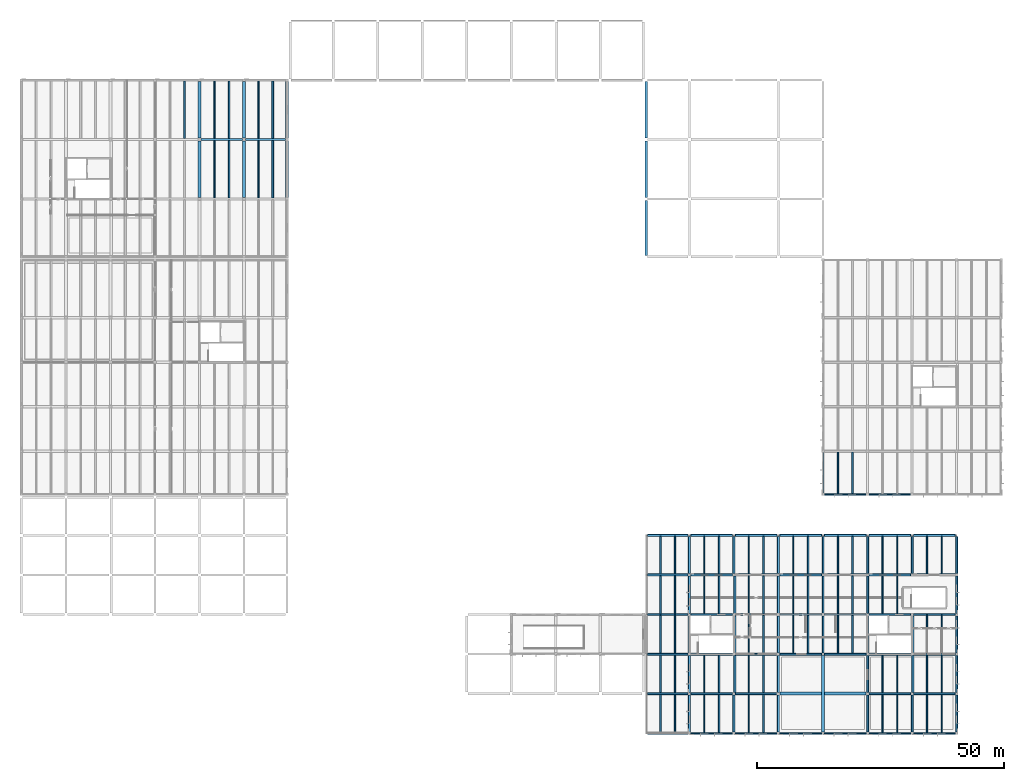
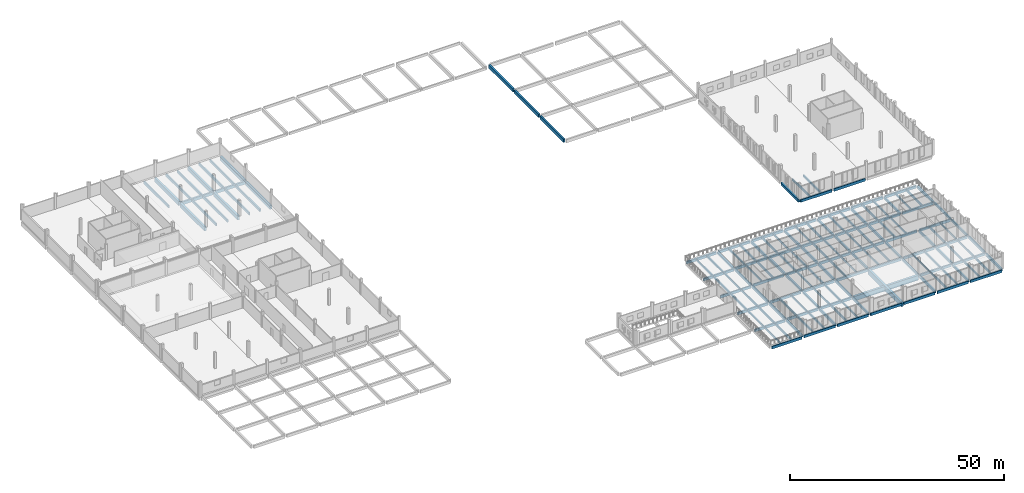
# One storey, part 5 of 25: 155 beams.
"""IFC4 building model written with IfcOpenShell, lengths in metres."""

from ifc_helpers import new_model, si_unit, direction, frame, origin, origin_2d, place, context, subcontext, project, spatial, rectangle, extrude, material, material_profile, profile_set, type_object, element, save


model = new_model("IFC4")

# Units and contexts
model_context = context("Model", 3, precision=1e-05, world=origin(), true_north=direction((0.0, 1.0)))
body_context = subcontext(model_context, "Body", "Model", "MODEL_VIEW")
ifc_project = project(units=[si_unit("LENGTHUNIT", "METRE"), si_unit("AREAUNIT", "SQUARE_METRE"), si_unit("VOLUMEUNIT", "CUBIC_METRE"), si_unit("PLANEANGLEUNIT", "RADIAN"), si_unit("MASSUNIT", "GRAM", prefix="KILO")], contexts=[model_context])

# Site, building, storey
site_placement = place(None, origin())
site = spatial("IfcSite", under=ifc_project, at=site_placement, CompositionType="ELEMENT")
building_placement = place(site_placement, origin())
building = spatial("IfcBuilding", under=site, at=building_placement, Name="Zacnel Wholesale Market", CompositionType="ELEMENT")
storey_placement = place(building_placement, frame((0.0, 0.0, 15.75)))
storey = spatial("IfcBuildingStorey", under=building, at=storey_placement, Name="L04", CompositionType="ELEMENT", Elevation=15.75)

# Beams
ifc_material_1 = material(Name="Precast concrete C45/55", Category="concrete")
ifc_material_profile_1 = material_profile(ifc_material_1, rectangle(XDim=0.280029296875, YDim=0.550048828125, at=origin_2d()), Name="DT RIB 280x550")
ifc_profile_set_1 = profile_set([ifc_material_profile_1], Name="Precast concrete C45/55")
beam_type_1 = type_object("IfcBeamType", Name="BM-DT550", PredefinedType="JOIST", material=ifc_profile_set_1)
for number, where, z_axis, x_axis, name in (
    (1, (147.199951171875, 0.14990234375, -0.695068359375), (0.0, 1.0, 0.0), (-1.0, 0.0, 0.0), "Precast secondary joist L04-0605"),
    (2, (150.10009765625, 0.14990234375, -0.695068359375), (0.0, 1.0, 0.0), (-1.0, 0.0, 0.0), "Precast secondary joist L04-0606"),
    (3, (156.0, 0.14990234375, -0.554931640625), (0.0, 1.0, 0.0), (-1.0, 0.0, 0.0), "Precast secondary joist L04-0607"),
    (4, (159.0, 0.14990234375, -0.554931640625), (0.0, 1.0, 0.0), (-1.0, 0.0, 0.0), "Precast secondary joist L04-0608"),
    (5, (165.0, 0.14990234375, -0.554931640625), (0.0, 1.0, 0.0), (-1.0, 0.0, 0.0), "Precast secondary joist L04-0609"),
    (6, (168.0, 0.14990234375, -0.554931640625), (0.0, 1.0, 0.0), (-1.0, 0.0, 0.0), "Precast secondary joist L04-0610"),
    (7, (192.0, 0.14990234375, -0.554931640625), (0.0, 1.0, 0.0), (-1.0, 0.0, 0.0), "Precast secondary joist L04-0611"),
    (8, (195.0, 0.14990234375, -0.554931640625), (0.0, 1.0, 0.0), (-1.0, 0.0, 0.0), "Precast secondary joist L04-0612"),
    (9, (201.0, 0.14990234375, -0.554931640625), (0.0, 1.0, 0.0), (-1.0, 0.0, 0.0), "Precast secondary joist L04-0613"),
    (10, (204.0, 0.14990234375, -0.554931640625), (0.0, 1.0, 0.0), (-1.0, 0.0, 0.0), "Precast secondary joist L04-0614"),
):
    element("IfcBeam", number, at=place(storey_placement, frame(where, z_axis=z_axis, x_axis=x_axis)), inside=storey, type_object=beam_type_1, Name=name, PredefinedType="JOIST", context=body_context, shape_type="SweptSolid", body=[
        extrude(rectangle(XDim=0.280029296875, YDim=0.550048828125, at=origin_2d()), origin(), (0.0, 0.0, 1.0), 7.650146484375),
    ])
for number, where, z_axis, x_axis, name in (
    (11, (147.199951171875, 8.199951171875, -0.695068359375), (0.0, 1.0, 0.0), (-1.0, 0.0, 0.0), "Precast secondary joist L04-0615"),
    (12, (150.10009765625, 8.199951171875, -0.695068359375), (0.0, 1.0, 0.0), (-1.0, 0.0, 0.0), "Precast secondary joist L04-0616"),
    (13, (156.0, 8.199951171875, -0.554931640625), (0.0, 1.0, 0.0), (-1.0, 0.0, 0.0), "Precast secondary joist L04-0617"),
    (14, (159.0, 8.199951171875, -0.554931640625), (0.0, 1.0, 0.0), (-1.0, 0.0, 0.0), "Precast secondary joist L04-0618"),
    (15, (165.0, 8.199951171875, -0.554931640625), (0.0, 1.0, 0.0), (-1.0, 0.0, 0.0), "Precast secondary joist L04-0619"),
    (16, (168.0, 8.199951171875, -0.554931640625), (0.0, 1.0, 0.0), (-1.0, 0.0, 0.0), "Precast secondary joist L04-0620"),
    (17, (192.0, 8.199951171875, -0.554931640625), (0.0, 1.0, 0.0), (-1.0, 0.0, 0.0), "Precast secondary joist L04-0621"),
    (18, (195.0, 8.199951171875, -0.554931640625), (0.0, 1.0, 0.0), (-1.0, 0.0, 0.0), "Precast secondary joist L04-0622"),
    (19, (201.0, 8.199951171875, -0.554931640625), (0.0, 1.0, 0.0), (-1.0, 0.0, 0.0), "Precast secondary joist L04-0623"),
    (20, (204.0, 8.199951171875, -0.554931640625), (0.0, 1.0, 0.0), (-1.0, 0.0, 0.0), "Precast secondary joist L04-0624"),
):
    element("IfcBeam", number, at=place(storey_placement, frame(where, z_axis=z_axis, x_axis=x_axis)), inside=storey, type_object=beam_type_1, Name=name, PredefinedType="JOIST", context=body_context, shape_type="SweptSolid", body=[
        extrude(rectangle(XDim=0.280029296875, YDim=0.550048828125, at=origin_2d()), origin(), (0.0, 0.0, 1.0), 7.60009765625),
    ])
for number, where, z_axis, x_axis, name in (
    (21, (147.199951171875, 16.199951171875, -0.695068359375), (0.0, 1.0, 0.0), (-1.0, 0.0, 0.0), "Precast secondary joist L04-0625"),
    (22, (150.10009765625, 16.199951171875, -0.695068359375), (0.0, 1.0, 0.0), (-1.0, 0.0, 0.0), "Precast secondary joist L04-0626"),
    (23, (165.0, 16.199951171875, -0.554931640625), (0.0, 1.0, 0.0), (-1.0, 0.0, 0.0), "Precast secondary joist L04-0627"),
    (24, (168.0, 16.199951171875, -0.554931640625), (0.0, 1.0, 0.0), (-1.0, 0.0, 0.0), "Precast secondary joist L04-0628"),
    (25, (174.0, 16.199951171875, -0.554931640625), (0.0, 1.0, 0.0), (-1.0, 0.0, 0.0), "Precast secondary joist L04-0629"),
    (26, (177.0, 16.199951171875, -0.554931640625), (0.0, 1.0, 0.0), (-1.0, 0.0, 0.0), "Precast secondary joist L04-0630"),
    (27, (183.0, 16.199951171875, -0.554931640625), (0.0, 1.0, 0.0), (-1.0, 0.0, 0.0), "Precast secondary joist L04-0631"),
    (28, (186.0, 16.199951171875, -0.554931640625), (0.0, 1.0, 0.0), (-1.0, 0.0, 0.0), "Precast secondary joist L04-0632"),
    (29, (201.0, 16.199951171875, -0.554931640625), (0.0, 1.0, 0.0), (-1.0, 0.0, 0.0), "Precast secondary joist L04-0633"),
    (30, (204.0, 16.199951171875, -0.554931640625), (0.0, 1.0, 0.0), (-1.0, 0.0, 0.0), "Precast secondary joist L04-0634"),
    (31, (147.199951171875, 24.14990234375, -0.695068359375), (0.0, 1.0, 0.0), (-1.0, 0.0, 0.0), "Precast secondary joist L04-0635"),
    (32, (150.10009765625, 24.14990234375, -0.695068359375), (0.0, 1.0, 0.0), (-1.0, 0.0, 0.0), "Precast secondary joist L04-0636"),
    (33, (156.0, 24.14990234375, -0.554931640625), (0.0, 1.0, 0.0), (-1.0, 0.0, 0.0), "Precast secondary joist L04-0637"),
    (34, (159.0, 24.14990234375, -0.554931640625), (0.0, 1.0, 0.0), (-1.0, 0.0, 0.0), "Precast secondary joist L04-0638"),
    (35, (165.0, 24.14990234375, -0.554931640625), (0.0, 1.0, 0.0), (-1.0, 0.0, 0.0), "Precast secondary joist L04-0639"),
    (36, (168.0, 24.14990234375, -0.554931640625), (0.0, 1.0, 0.0), (-1.0, 0.0, 0.0), "Precast secondary joist L04-0640"),
    (37, (174.0, 24.14990234375, -0.554931640625), (0.0, 1.0, 0.0), (-1.0, 0.0, 0.0), "Precast secondary joist L04-0641"),
    (38, (177.0, 24.14990234375, -0.554931640625), (0.0, 1.0, 0.0), (-1.0, 0.0, 0.0), "Precast secondary joist L04-0642"),
    (39, (183.0, 24.14990234375, -0.554931640625), (0.0, 1.0, 0.0), (-1.0, 0.0, 0.0), "Precast secondary joist L04-0643"),
    (40, (186.0, 24.14990234375, -0.554931640625), (0.0, 1.0, 0.0), (-1.0, 0.0, 0.0), "Precast secondary joist L04-0644"),
    (41, (192.0, 24.14990234375, -0.554931640625), (0.0, 1.0, 0.0), (-1.0, 0.0, 0.0), "Precast secondary joist L04-0645"),
    (42, (195.0, 24.14990234375, -0.554931640625), (0.0, 1.0, 0.0), (-1.0, 0.0, 0.0), "Precast secondary joist L04-0646"),
):
    element("IfcBeam", number, at=place(storey_placement, frame(where, z_axis=z_axis, x_axis=x_axis)), inside=storey, type_object=beam_type_1, Name=name, PredefinedType="JOIST", context=body_context, shape_type="SweptSolid", body=[
        extrude(rectangle(XDim=0.280029296875, YDim=0.550048828125, at=origin_2d()), origin(), (0.0, 0.0, 1.0), 7.650146484375),
    ])
for number, where, z_axis, x_axis, name in (
    (43, (147.199951171875, 32.199951171875, -0.695068359375), (0.0, 1.0, 0.0), (-1.0, 0.0, 0.0), "Precast secondary joist L04-0649"),
    (44, (150.10009765625, 32.199951171875, -0.695068359375), (0.0, 1.0, 0.0), (-1.0, 0.0, 0.0), "Precast secondary joist L04-0650"),
    (45, (156.0, 32.199951171875, -0.695068359375), (0.0, 1.0, 0.0), (-1.0, 0.0, 0.0), "Precast secondary joist L04-0651"),
    (46, (159.0, 32.199951171875, -0.695068359375), (0.0, 1.0, 0.0), (-1.0, 0.0, 0.0), "Precast secondary joist L04-0652"),
    (47, (165.0, 32.199951171875, -0.695068359375), (0.0, 1.0, 0.0), (-1.0, 0.0, 0.0), "Precast secondary joist L04-0653"),
    (48, (168.0, 32.199951171875, -0.695068359375), (0.0, 1.0, 0.0), (-1.0, 0.0, 0.0), "Precast secondary joist L04-0654"),
    (49, (174.0, 32.199951171875, -0.695068359375), (0.0, 1.0, 0.0), (-1.0, 0.0, 0.0), "Precast secondary joist L04-0655"),
    (50, (177.0, 32.199951171875, -0.695068359375), (0.0, 1.0, 0.0), (-1.0, 0.0, 0.0), "Precast secondary joist L04-0656"),
    (51, (183.0, 32.199951171875, -0.695068359375), (0.0, 1.0, 0.0), (-1.0, 0.0, 0.0), "Precast secondary joist L04-0657"),
    (52, (186.0, 32.199951171875, -0.695068359375), (0.0, 1.0, 0.0), (-1.0, 0.0, 0.0), "Precast secondary joist L04-0658"),
    (53, (192.0, 32.199951171875, -0.695068359375), (0.0, 1.0, 0.0), (-1.0, 0.0, 0.0), "Precast terrace joist L04-192.0"),
    (54, (195.0, 32.199951171875, -0.695068359375), (0.0, 1.0, 0.0), (-1.0, 0.0, 0.0), "Precast terrace joist L04-195.0"),
    (55, (201.0, 32.199951171875, -0.695068359375), (0.0, 1.0, 0.0), (-1.0, 0.0, 0.0), "Precast terrace joist L04-201.0"),
    (56, (204.0, 32.199951171875, -0.695068359375), (0.0, 1.0, 0.0), (-1.0, 0.0, 0.0), "Precast terrace joist L04-204.0"),
):
    element("IfcBeam", number, at=place(storey_placement, frame(where, z_axis=z_axis, x_axis=x_axis)), inside=storey, type_object=beam_type_1, Name=name, PredefinedType="JOIST", context=body_context, shape_type="SweptSolid", body=[
        extrude(rectangle(XDim=0.280029296875, YDim=0.550048828125, at=origin_2d()), origin(), (0.0, 0.0, 1.0), 7.60009765625),
    ])
ifc_material_2 = material(Name="Precast concrete C45/55", Category="concrete")
ifc_material_profile_2 = material_profile(ifc_material_2, rectangle(XDim=0.280029296875, YDim=0.60009765625, at=origin_2d()), Name="DT RIB 280x600")
ifc_profile_set_2 = profile_set([ifc_material_profile_2], Name="Precast concrete C45/55")
beam_type_2 = type_object("IfcBeamType", Name="BM-DT600", PredefinedType="JOIST", material=ifc_profile_set_2)
for number, where, z_axis, x_axis, name in (
    (57, (183.0, 48.449951171875, -0.580078125), (0.0, 1.0, 0.0), (-1.0, 0.0, 0.0), "Precast secondary joist L04-0671"),
    (58, (186.0, 48.449951171875, -0.580078125), (0.0, 1.0, 0.0), (-1.0, 0.0, 0.0), "Precast secondary joist L04-0672"),
):
    element("IfcBeam", number, at=place(storey_placement, frame(where, z_axis=z_axis, x_axis=x_axis)), inside=storey, type_object=beam_type_2, Name=name, PredefinedType="JOIST", context=body_context, shape_type="SweptSolid", body=[
        extrude(rectangle(XDim=0.280029296875, YDim=0.60009765625, at=origin_2d()), origin(), (0.0, 0.0, 1.0), 8.35009765625),
    ])
ifc_material_3 = material(Name="Precast concrete C45/55", Category="concrete")
ifc_material_profile_3 = material_profile(ifc_material_3, rectangle(XDim=0.320068359375, YDim=0.75, at=origin_2d()), Name="DT RIB 320x750")
ifc_profile_set_3 = profile_set([ifc_material_profile_3], Name="Precast concrete C45/55")
beam_type_3 = type_object("IfcBeamType", Name="BM-DT750", PredefinedType="JOIST", material=ifc_profile_set_3)
for number, where, z_axis, x_axis, name in (
    (59, (57.0, 108.22509765625, -0.655029296875), (0.0, 1.0, 0.0), (-1.0, 0.0, 0.0), "Precast secondary joist L04-0773"),
    (60, (60.0, 108.22509765625, -0.655029296875), (0.0, 1.0, 0.0), (-1.0, 0.0, 0.0), "Precast secondary joist L04-0774"),
    (61, (65.89990234375, 108.22509765625, -0.655029296875), (0.0, 1.0, 0.0), (-1.0, 0.0, 0.0), "Precast secondary joist L04-0775"),
    (62, (68.800048828125, 108.22509765625, -0.655029296875), (0.0, 1.0, 0.0), (-1.0, 0.0, 0.0), "Precast secondary joist L04-0776"),
    (63, (51.0, 120.22509765625, -0.655029296875), (0.0, 1.0, 0.0), (-1.0, 0.0, 0.0), "Precast secondary joist L04-0784"),
    (64, (57.0, 120.22509765625, -0.655029296875), (0.0, 1.0, 0.0), (-1.0, 0.0, 0.0), "Precast secondary joist L04-0785"),
    (65, (60.0, 120.22509765625, -0.655029296875), (0.0, 1.0, 0.0), (-1.0, 0.0, 0.0), "Precast secondary joist L04-0786"),
    (66, (65.89990234375, 120.22509765625, -0.655029296875), (0.0, 1.0, 0.0), (-1.0, 0.0, 0.0), "Precast secondary joist L04-0787"),
    (67, (68.800048828125, 120.22509765625, -0.655029296875), (0.0, 1.0, 0.0), (-1.0, 0.0, 0.0), "Precast secondary joist L04-0788"),
):
    element("IfcBeam", number, at=place(storey_placement, frame(where, z_axis=z_axis, x_axis=x_axis)), inside=storey, type_object=beam_type_3, Name=name, PredefinedType="JOIST", context=body_context, shape_type="SweptSolid", body=[
        extrude(rectangle(XDim=0.320068359375, YDim=0.75, at=origin_2d()), origin(), (0.0, 0.0, 1.0), 11.5498046875),
    ])
ifc_material_4 = material(Name="Precast concrete C45/55", Category="concrete")
ifc_material_profile_4 = material_profile(ifc_material_4, rectangle(XDim=0.550048828125, YDim=1.14990234375, at=origin_2d()), Name="PG 550x1150")
ifc_profile_set_4 = profile_set([ifc_material_profile_4], Name="Precast concrete C45/55")
beam_type_4 = type_object("IfcBeamType", Name="BM-PG1150", PredefinedType="T_BEAM", material=ifc_profile_set_4)
for number, where, z_axis, x_axis, name in (
    (68, (54.0, 108.300048828125, -0.85498046875), (0.0, 1.0, 0.0), (-1.0, 0.0, 0.0), "Precast girder Y-1228"),
    (69, (54.0, 120.300048828125, -0.85498046875), (0.0, 1.0, 0.0), (-1.0, 0.0, 0.0), "Precast girder Y-1229"),
    (70, (63.0, 108.300048828125, -0.85498046875), (0.0, 1.0, 0.0), (-1.0, 0.0, 0.0), "Precast girder Y-1239"),
    (71, (63.0, 120.300048828125, -0.85498046875), (0.0, 1.0, 0.0), (-1.0, 0.0, 0.0), "Precast girder Y-1240"),
):
    element("IfcBeam", number, at=place(storey_placement, frame(where, z_axis=z_axis, x_axis=x_axis)), inside=storey, type_object=beam_type_4, Name=name, PredefinedType="T_BEAM", context=body_context, shape_type="SweptSolid", body=[
        extrude(rectangle(XDim=0.550048828125, YDim=1.14990234375, at=origin_2d()), origin(), (0.0, 0.0, 1.0), 11.39990234375),
    ])
for number, where, z_axis, x_axis, name in (
    (72, (71.699951171875, 108.27490234375, -0.85498046875), (0.0, 1.0, 0.0), (-1.0, 0.0, 0.0), "Precast girder Y-1250"),
    (73, (71.699951171875, 120.27490234375, -0.85498046875), (0.0, 1.0, 0.0), (-1.0, 0.0, 0.0), "Precast girder Y-1251"),
):
    element("IfcBeam", number, at=place(storey_placement, frame(where, z_axis=z_axis, x_axis=x_axis)), inside=storey, type_object=beam_type_4, Name=name, PredefinedType="T_BEAM", context=body_context, shape_type="SweptSolid", body=[
        extrude(rectangle(XDim=0.550048828125, YDim=1.14990234375, at=origin_2d()), origin(), (0.0, 0.0, 1.0), 11.4501953125),
    ])
ifc_material_5 = material(Name="Precast concrete C45/55", Category="concrete")
ifc_material_profile_5 = material_profile(ifc_material_5, rectangle(XDim=0.60009765625, YDim=1.35009765625, at=origin_2d()), Name="PG 600x1350")
ifc_profile_set_5 = profile_set([ifc_material_profile_5], Name="Precast concrete C45/55")
beam_type_5 = type_object("IfcBeamType", Name="BM-PG1350", PredefinedType="T_BEAM", material=ifc_profile_set_5)
beam_1_placement = place(storey_placement, frame((171.300048828125, 8.0, -0.955078125), z_axis=(1.0, 0.0, 0.0), x_axis=(0.0, 1.0, 0.0)))
element("IfcBeam", 74, at=beam_1_placement, inside=storey, type_object=beam_type_5, Name="Precast girder X-1020", PredefinedType="T_BEAM", context=body_context, shape_type="SweptSolid", body=[
    extrude(rectangle(XDim=0.60009765625, YDim=1.35009765625, at=origin_2d()), origin(), (0.0, 0.0, 1.0), 17.39990234375),
])
beam_2_placement = place(storey_placement, frame((180.0, 0.25, -0.955078125), z_axis=(0.0, 1.0, 0.0), x_axis=(-1.0, 0.0, 0.0)))
element("IfcBeam", 75, at=beam_2_placement, inside=storey, type_object=beam_type_5, Name="Precast girder Y-1281", PredefinedType="T_BEAM", context=body_context, shape_type="SweptSolid", body=[
    extrude(rectangle(XDim=0.60009765625, YDim=1.35009765625, at=origin_2d()), origin(), (0.0, 0.0, 1.0), 15.5),
])
ifc_material_6 = material(Name="Precast concrete C45/55", Category="concrete")
ifc_material_profile_6 = material_profile(ifc_material_6, rectangle(XDim=0.39990234375, YDim=0.64990234375, at=origin_2d()), Name="PG 400x650")
ifc_profile_set_6 = profile_set([ifc_material_profile_6], Name="Precast concrete C45/55")
beam_type_6 = type_object("IfcBeamType", Name="BM-PG650", PredefinedType="BEAM", material=ifc_profile_set_6)
for number, where, z_axis, x_axis, name in (
    (76, (153.0, 0.25, -0.60498046875), (0.0, 1.0, 0.0), (-1.0, 0.0, 0.0), "Precast girder Y-1266"),
    (77, (153.0, 8.25, -0.60498046875), (0.0, 1.0, 0.0), (-1.0, 0.0, 0.0), "Precast girder Y-1267"),
    (78, (153.0, 16.25, -0.60498046875), (0.0, 1.0, 0.0), (-1.0, 0.0, 0.0), "Precast girder Y-1268"),
    (79, (153.0, 24.25, -0.60498046875), (0.0, 1.0, 0.0), (-1.0, 0.0, 0.0), "Precast girder Y-1269"),
    (80, (153.0, 32.25, -0.7451171875), (0.0, 1.0, 0.0), (-1.0, 0.0, 0.0), "Precast girder Y-1270"),
    (81, (162.0, 0.25, -0.60498046875), (0.0, 1.0, 0.0), (-1.0, 0.0, 0.0), "Precast girder Y-1271"),
    (82, (162.179931640625, 8.25, -0.60498046875), (0.0, 1.0, 0.0), (-1.0, 0.0, 0.0), "Precast girder Y-1272"),
    (83, (162.179931640625, 16.25, -0.60498046875), (0.0, 1.0, 0.0), (-1.0, 0.0, 0.0), "Precast girder Y-1273"),
    (84, (162.179931640625, 24.25, -0.60498046875), (0.0, 1.0, 0.0), (-1.0, 0.0, 0.0), "Precast girder Y-1274"),
    (85, (162.0, 32.25, -0.7451171875), (0.0, 1.0, 0.0), (-1.0, 0.0, 0.0), "Precast girder Y-1275"),
    (86, (171.0, 0.25, -0.60498046875), (0.0, 1.0, 0.0), (-1.0, 0.0, 0.0), "Precast girder Y-1276"),
    (87, (171.0, 8.25, -0.60498046875), (0.0, 1.0, 0.0), (-1.0, 0.0, 0.0), "Precast girder Y-1277"),
    (88, (171.0, 16.25, -0.60498046875), (0.0, 1.0, 0.0), (-1.0, 0.0, 0.0), "Precast girder Y-1278"),
    (89, (171.0, 24.25, -0.60498046875), (0.0, 1.0, 0.0), (-1.0, 0.0, 0.0), "Precast girder Y-1279"),
    (90, (171.0, 32.25, -0.7451171875), (0.0, 1.0, 0.0), (-1.0, 0.0, 0.0), "Precast girder Y-1280"),
    (91, (180.0, 16.25, -0.60498046875), (0.0, 1.0, 0.0), (-1.0, 0.0, 0.0), "Precast girder Y-1282"),
    (92, (180.0, 24.25, -0.60498046875), (0.0, 1.0, 0.0), (-1.0, 0.0, 0.0), "Precast girder Y-1283"),
    (93, (180.0, 32.25, -0.7451171875), (0.0, 1.0, 0.0), (-1.0, 0.0, 0.0), "Precast girder Y-1284"),
    (94, (189.0, 0.25, -0.60498046875), (0.0, 1.0, 0.0), (-1.0, 0.0, 0.0), "Precast girder Y-1290"),
    (95, (189.0, 8.25, -0.60498046875), (0.0, 1.0, 0.0), (-1.0, 0.0, 0.0), "Precast girder Y-1291"),
    (96, (189.0, 16.25, -0.60498046875), (0.0, 1.0, 0.0), (-1.0, 0.0, 0.0), "Precast girder Y-1292"),
    (97, (189.0, 24.25, -0.60498046875), (0.0, 1.0, 0.0), (-1.0, 0.0, 0.0), "Precast girder Y-1293"),
    (98, (189.0, 32.25, -0.7451171875), (0.0, 1.0, 0.0), (-1.0, 0.0, 0.0), "Precast girder Y-1294"),
    (99, (198.0, 0.25, -0.60498046875), (0.0, 1.0, 0.0), (-1.0, 0.0, 0.0), "Precast girder Y-1300"),
    (100, (198.179931640625, 8.25, -0.60498046875), (0.0, 1.0, 0.0), (-1.0, 0.0, 0.0), "Precast girder Y-1301"),
    (101, (198.179931640625, 16.25, -0.60498046875), (0.0, 1.0, 0.0), (-1.0, 0.0, 0.0), "Precast girder Y-1302"),
    (102, (198.0, 32.25, -0.7451171875), (0.0, 1.0, 0.0), (-1.0, 0.0, 0.0), "Precast girder Y-1304"),
    (103, (207.0, 0.25, -0.60498046875), (0.0, 1.0, 0.0), (-1.0, 0.0, 0.0), "Precast girder Y-1310"),
    (104, (207.0, 8.25, -0.60498046875), (0.0, 1.0, 0.0), (-1.0, 0.0, 0.0), "Precast girder Y-1311"),
    (105, (207.0, 16.25, -0.60498046875), (0.0, 1.0, 0.0), (-1.0, 0.0, 0.0), "Precast girder Y-1312"),
    (106, (207.0, 24.25, -0.60498046875), (0.0, 1.0, 0.0), (-1.0, 0.0, 0.0), "Precast girder Y-1313"),
    (107, (207.0, 32.25, -0.7451171875), (0.0, 1.0, 0.0), (-1.0, 0.0, 0.0), "Precast girder Y-1314"),
):
    element("IfcBeam", number, at=place(storey_placement, frame(where, z_axis=z_axis, x_axis=x_axis)), inside=storey, type_object=beam_type_6, Name=name, PredefinedType="BEAM", context=body_context, shape_type="SweptSolid", body=[
        extrude(rectangle(XDim=0.39990234375, YDim=0.64990234375, at=origin_2d()), origin(), (0.0, 0.0, 1.0), 7.5),
    ])
ifc_material_7 = material(Name="Precast concrete C45/55", Category="concrete")
ifc_material_profile_7 = material_profile(ifc_material_7, rectangle(XDim=0.39990234375, YDim=0.699951171875, at=origin_2d()), Name="PG 400x700")
ifc_profile_set_7 = profile_set([ifc_material_profile_7], Name="Precast concrete C45/55")
beam_type_7 = type_object("IfcBeamType", Name="BM-PG700", PredefinedType="BEAM", material=ifc_profile_set_7)
beam_3_placement = place(storey_placement, frame((144.574951171875, 8.0, -0.77001953125), z_axis=(1.0, 0.0, 0.0), x_axis=(0.0, 1.0, 0.0)))
element("IfcBeam", 108, at=beam_3_placement, inside=storey, type_object=beam_type_7, Name="Precast girder X-1017", PredefinedType="BEAM", context=body_context, shape_type="SweptSolid", body=[
    extrude(rectangle(XDim=0.39990234375, YDim=0.699951171875, at=origin_2d()), origin(), (0.0, 0.0, 1.0), 8.125),
])
for number, where, z_axis, x_axis, name in (
    (109, (153.300048828125, 8.0, -0.6298828125), (1.0, 0.0, 0.0), (0.0, 1.0, 0.0), "Precast girder X-1018"),
    (110, (162.300048828125, 8.0, -0.6298828125), (1.0, 0.0, 0.0), (0.0, 1.0, 0.0), "Precast girder X-1019"),
    (111, (189.300048828125, 8.0, -0.6298828125), (1.0, 0.0, 0.0), (0.0, 1.0, 0.0), "Precast girder X-1021"),
    (112, (198.300048828125, 8.0, -0.6298828125), (1.0, 0.0, 0.0), (0.0, 1.0, 0.0), "Precast girder X-1022"),
):
    element("IfcBeam", number, at=place(storey_placement, frame(where, z_axis=z_axis, x_axis=x_axis)), inside=storey, type_object=beam_type_7, Name=name, PredefinedType="BEAM", context=body_context, shape_type="SweptSolid", body=[
        extrude(rectangle(XDim=0.39990234375, YDim=0.699951171875, at=origin_2d()), origin(), (0.0, 0.0, 1.0), 8.39990234375),
    ])
beam_4_placement = place(storey_placement, frame((144.574951171875, 16.0, -0.77001953125), z_axis=(1.0, 0.0, 0.0), x_axis=(0.0, 1.0, 0.0)))
element("IfcBeam", 113, at=beam_4_placement, inside=storey, type_object=beam_type_7, Name="Precast girder X-1023", PredefinedType="BEAM", context=body_context, shape_type="SweptSolid", body=[
    extrude(rectangle(XDim=0.39990234375, YDim=0.699951171875, at=origin_2d()), origin(), (0.0, 0.0, 1.0), 8.125),
])
for number, where, z_axis, x_axis, name in (
    (114, (153.300048828125, 16.0, -0.6298828125), (1.0, 0.0, 0.0), (0.0, 1.0, 0.0), "Precast girder X-1024"),
    (115, (162.300048828125, 16.0, -0.6298828125), (1.0, 0.0, 0.0), (0.0, 1.0, 0.0), "Precast girder X-1025"),
    (116, (171.300048828125, 16.0, -0.6298828125), (1.0, 0.0, 0.0), (0.0, 1.0, 0.0), "Precast girder X-1026"),
    (117, (180.300048828125, 16.0, -0.6298828125), (1.0, 0.0, 0.0), (0.0, 1.0, 0.0), "Precast girder X-1027"),
    (118, (189.300048828125, 16.0, -0.6298828125), (1.0, 0.0, 0.0), (0.0, 1.0, 0.0), "Precast girder X-1028"),
    (119, (198.300048828125, 16.0, -0.6298828125), (1.0, 0.0, 0.0), (0.0, 1.0, 0.0), "Precast girder X-1029"),
):
    element("IfcBeam", number, at=place(storey_placement, frame(where, z_axis=z_axis, x_axis=x_axis)), inside=storey, type_object=beam_type_7, Name=name, PredefinedType="BEAM", context=body_context, shape_type="SweptSolid", body=[
        extrude(rectangle(XDim=0.39990234375, YDim=0.699951171875, at=origin_2d()), origin(), (0.0, 0.0, 1.0), 8.39990234375),
    ])
beam_5_placement = place(storey_placement, frame((144.574951171875, 32.0, -0.77001953125), z_axis=(1.0, 0.0, 0.0), x_axis=(0.0, 1.0, 0.0)))
element("IfcBeam", 120, at=beam_5_placement, inside=storey, type_object=beam_type_7, Name="Precast girder X-1049", PredefinedType="BEAM", context=body_context, shape_type="SweptSolid", body=[
    extrude(rectangle(XDim=0.39990234375, YDim=0.699951171875, at=origin_2d()), origin(), (0.0, 0.0, 1.0), 8.125),
])
for number, where, z_axis, x_axis, name in (
    (121, (153.300048828125, 32.0, -0.6298828125), (1.0, 0.0, 0.0), (0.0, 1.0, 0.0), "Precast girder X-1050"),
    (122, (162.300048828125, 32.0, -0.6298828125), (1.0, 0.0, 0.0), (0.0, 1.0, 0.0), "Precast girder X-1051"),
    (123, (171.300048828125, 32.0, -0.6298828125), (1.0, 0.0, 0.0), (0.0, 1.0, 0.0), "Precast girder X-1052"),
    (124, (180.300048828125, 32.0, -0.6298828125), (1.0, 0.0, 0.0), (0.0, 1.0, 0.0), "Precast girder X-1053"),
    (125, (189.300048828125, 32.0, -0.6298828125), (1.0, 0.0, 0.0), (0.0, 1.0, 0.0), "Precast girder X-1054"),
    (126, (198.300048828125, 32.0, -0.6298828125), (1.0, 0.0, 0.0), (0.0, 1.0, 0.0), "Precast girder X-1055"),
):
    element("IfcBeam", number, at=place(storey_placement, frame(where, z_axis=z_axis, x_axis=x_axis)), inside=storey, type_object=beam_type_7, Name=name, PredefinedType="BEAM", context=body_context, shape_type="SweptSolid", body=[
        extrude(rectangle(XDim=0.39990234375, YDim=0.699951171875, at=origin_2d()), origin(), (0.0, 0.0, 1.0), 8.39990234375),
    ])
beam_6_placement = place(storey_placement, frame((144.574951171875, 40.0, -0.77001953125), z_axis=(1.0, 0.0, 0.0), x_axis=(0.0, 1.0, 0.0)))
element("IfcBeam", 127, at=beam_6_placement, inside=storey, type_object=beam_type_7, Name="Precast girder X-1062", PredefinedType="BEAM", context=body_context, shape_type="SweptSolid", body=[
    extrude(rectangle(XDim=0.39990234375, YDim=0.699951171875, at=origin_2d()), origin(), (0.0, 0.0, 1.0), 8.125),
])
for number, where, z_axis, x_axis, name in (
    (128, (153.300048828125, 40.0, -0.77001953125), (1.0, 0.0, 0.0), (0.0, 1.0, 0.0), "Precast girder X-1063"),
    (129, (162.300048828125, 40.0, -0.77001953125), (1.0, 0.0, 0.0), (0.0, 1.0, 0.0), "Precast girder X-1064"),
    (130, (171.300048828125, 40.0, -0.77001953125), (1.0, 0.0, 0.0), (0.0, 1.0, 0.0), "Precast girder X-1065"),
    (131, (180.300048828125, 40.0, -0.77001953125), (1.0, 0.0, 0.0), (0.0, 1.0, 0.0), "Precast girder X-1066"),
    (132, (189.300048828125, 40.0, -0.77001953125), (1.0, 0.0, 0.0), (0.0, 1.0, 0.0), "Precast girder X-1067"),
    (133, (198.300048828125, 40.0, -0.77001953125), (1.0, 0.0, 0.0), (0.0, 1.0, 0.0), "Precast girder X-1068"),
):
    element("IfcBeam", number, at=place(storey_placement, frame(where, z_axis=z_axis, x_axis=x_axis)), inside=storey, type_object=beam_type_7, Name=name, PredefinedType="BEAM", context=body_context, shape_type="SweptSolid", body=[
        extrude(rectangle(XDim=0.39990234375, YDim=0.699951171875, at=origin_2d()), origin(), (0.0, 0.0, 1.0), 8.39990234375),
    ])
ifc_material_8 = material(Name="Precast concrete C45/55", Category="concrete")
ifc_material_profile_8 = material_profile(ifc_material_8, rectangle(XDim=0.449951171875, YDim=0.800048828125, at=origin_2d()), Name="PG 450x800")
ifc_profile_set_8 = profile_set([ifc_material_profile_8], Name="Precast concrete C45/55")
beam_type_8 = type_object("IfcBeamType", Name="BM-PG800", PredefinedType="BEAM", material=ifc_profile_set_8)
beam_7_placement = place(storey_placement, frame((180.0, 48.574951171875, -0.679931640625), z_axis=(0.0, 1.0, 0.0), x_axis=(-1.0, 0.0, 0.0)))
element("IfcBeam", 134, at=beam_7_placement, inside=storey, type_object=beam_type_8, Name="Precast girder Y-1285", PredefinedType="BEAM", context=body_context, shape_type="SweptSolid", body=[
    extrude(rectangle(XDim=0.449951171875, YDim=0.800048828125, at=origin_2d()), origin(), (0.0, 0.0, 1.0), 8.125),
])
ifc_material_9 = material(Name="Precast concrete C45/55", Category="concrete")
ifc_material_profile_9 = material_profile(ifc_material_9, rectangle(XDim=0.449951171875, YDim=0.85009765625, at=origin_2d()), Name="PG 450x850")
ifc_profile_set_9 = profile_set([ifc_material_profile_9], Name="Precast concrete C45/55")
beam_type_9 = type_object("IfcBeamType", Name="BM-PG850", PredefinedType="BEAM", material=ifc_profile_set_9)
beam_8_placement = place(storey_placement, frame((54.300048828125, 120.0, -0.705078125), z_axis=(1.0, 0.0, 0.0), x_axis=(0.0, 1.0, 0.0)))
element("IfcBeam", 135, at=beam_8_placement, inside=storey, type_object=beam_type_9, Name="Precast girder X-1151", PredefinedType="BEAM", context=body_context, shape_type="SweptSolid", body=[
    extrude(rectangle(XDim=0.449951171875, YDim=0.85009765625, at=origin_2d()), origin(), (0.0, 0.0, 1.0), 8.39990234375),
])
beam_9_placement = place(storey_placement, frame((63.300048828125, 120.0, -0.705078125), z_axis=(1.0, 0.0, 0.0), x_axis=(0.0, 1.0, 0.0)))
element("IfcBeam", 136, at=beam_9_placement, inside=storey, type_object=beam_type_9, Name="Precast girder X-1152", PredefinedType="BEAM", context=body_context, shape_type="SweptSolid", body=[
    extrude(rectangle(XDim=0.449951171875, YDim=0.85009765625, at=origin_2d()), origin(), (0.0, 0.0, 1.0), 8.125),
])
ifc_material_10 = material(Name="Precast concrete C45/55", Category="concrete")
ifc_material_profile_10 = material_profile(ifc_material_10, rectangle(XDim=0.449951171875, YDim=0.949951171875, at=origin_2d()), Name="PG 450x950")
ifc_profile_set_10 = profile_set([ifc_material_profile_10], Name="Precast concrete C45/55")
beam_type_10 = type_object("IfcBeamType", Name="BM-PG950", PredefinedType="BEAM", material=ifc_profile_set_10)
beam_10_placement = place(storey_placement, frame((144.300048828125, 96.580078125, -0.125), z_axis=(0.0, 1.0, 0.0), x_axis=(-1.0, 0.0, 0.0)))
element("IfcBeam", 137, at=beam_10_placement, inside=storey, type_object=beam_type_10, Name="Crossing drum collar girder Y-15", PredefinedType="BEAM", context=body_context, shape_type="SweptSolid", body=[
    extrude(rectangle(XDim=0.449951171875, YDim=0.949951171875, at=origin_2d()), origin(), (0.0, 0.0, 1.0), 11.139892578125),
])
for number, where, z_axis, x_axis, name in (
    (138, (144.300048828125, 108.280029296875, -0.125), (0.0, 1.0, 0.0), (-1.0, 0.0, 0.0), "Crossing drum collar girder Y-16"),
    (139, (144.300048828125, 120.280029296875, -0.125), (0.0, 1.0, 0.0), (-1.0, 0.0, 0.0), "Crossing drum collar girder Y-17"),
):
    element("IfcBeam", number, at=place(storey_placement, frame(where, z_axis=z_axis, x_axis=x_axis)), inside=storey, type_object=beam_type_10, Name=name, PredefinedType="BEAM", context=body_context, shape_type="SweptSolid", body=[
        extrude(rectangle(XDim=0.449951171875, YDim=0.949951171875, at=origin_2d()), origin(), (0.0, 0.0, 1.0), 11.43994140625),
    ])
ifc_material_11 = material(Name="Precast concrete C45/55", Category="concrete")
ifc_material_profile_11 = material_profile(ifc_material_11, rectangle(XDim=0.300048828125, YDim=0.75, at=origin_2d()), Name="SP 300x750")
ifc_profile_set_11 = profile_set([ifc_material_profile_11], Name="Precast concrete C45/55")
beam_type_11 = type_object("IfcBeamType", Name="BM-SP750", PredefinedType="SPANDREL", material=ifc_profile_set_11)
beam_11_placement = place(storey_placement, frame((144.574951171875, 0.0, -0.794921875), z_axis=(1.0, 0.0, 0.0), x_axis=(0.0, 1.0, 0.0)))
element("IfcBeam", 140, at=beam_11_placement, inside=storey, type_object=beam_type_11, Name="Precast girder X-1010", PredefinedType="SPANDREL", context=body_context, shape_type="SweptSolid", body=[
    extrude(rectangle(XDim=0.300048828125, YDim=0.75, at=origin_2d()), origin(), (0.0, 0.0, 1.0), 8.125),
])
for number, where, z_axis, x_axis, name in (
    (141, (153.300048828125, 0.0, -0.655029296875), (1.0, 0.0, 0.0), (0.0, 1.0, 0.0), "Precast girder X-1011"),
    (142, (162.300048828125, 0.0, -0.655029296875), (1.0, 0.0, 0.0), (0.0, 1.0, 0.0), "Precast girder X-1012"),
    (143, (171.300048828125, 0.0, -0.655029296875), (1.0, 0.0, 0.0), (0.0, 1.0, 0.0), "Precast girder X-1013"),
    (144, (180.300048828125, 0.0, -0.655029296875), (1.0, 0.0, 0.0), (0.0, 1.0, 0.0), "Precast girder X-1014"),
    (145, (189.300048828125, 0.0, -0.655029296875), (1.0, 0.0, 0.0), (0.0, 1.0, 0.0), "Precast girder X-1015"),
    (146, (198.300048828125, 0.0, -0.655029296875), (1.0, 0.0, 0.0), (0.0, 1.0, 0.0), "Precast girder X-1016"),
):
    element("IfcBeam", number, at=place(storey_placement, frame(where, z_axis=z_axis, x_axis=x_axis)), inside=storey, type_object=beam_type_11, Name=name, PredefinedType="SPANDREL", context=body_context, shape_type="SweptSolid", body=[
        extrude(rectangle(XDim=0.300048828125, YDim=0.75, at=origin_2d()), origin(), (0.0, 0.0, 1.0), 8.39990234375),
    ])
beam_12_placement = place(storey_placement, frame((144.574951171875, 24.0, -0.794921875), z_axis=(1.0, 0.0, 0.0), x_axis=(0.0, 1.0, 0.0)))
element("IfcBeam", 147, at=beam_12_placement, inside=storey, type_object=beam_type_11, Name="Precast girder X-1036", PredefinedType="SPANDREL", context=body_context, shape_type="SweptSolid", body=[
    extrude(rectangle(XDim=0.300048828125, YDim=0.75, at=origin_2d()), origin(), (0.0, 0.0, 1.0), 8.125),
])
for number, where, z_axis, x_axis, name in (
    (148, (153.300048828125, 24.0, -0.655029296875), (1.0, 0.0, 0.0), (0.0, 1.0, 0.0), "Precast girder X-1037"),
    (149, (162.300048828125, 24.0, -0.655029296875), (1.0, 0.0, 0.0), (0.0, 1.0, 0.0), "Precast girder X-1038"),
    (150, (171.300048828125, 24.0, -0.655029296875), (1.0, 0.0, 0.0), (0.0, 1.0, 0.0), "Precast girder X-1039"),
    (151, (180.300048828125, 24.0, -0.655029296875), (1.0, 0.0, 0.0), (0.0, 1.0, 0.0), "Precast girder X-1040"),
    (152, (189.300048828125, 24.0, -0.655029296875), (1.0, 0.0, 0.0), (0.0, 1.0, 0.0), "Precast girder X-1041"),
    (153, (198.300048828125, 24.0, -0.655029296875), (1.0, 0.0, 0.0), (0.0, 1.0, 0.0), "Precast girder X-1042"),
):
    element("IfcBeam", number, at=place(storey_placement, frame(where, z_axis=z_axis, x_axis=x_axis)), inside=storey, type_object=beam_type_11, Name=name, PredefinedType="SPANDREL", context=body_context, shape_type="SweptSolid", body=[
        extrude(rectangle(XDim=0.300048828125, YDim=0.75, at=origin_2d()), origin(), (0.0, 0.0, 1.0), 8.39990234375),
    ])
for number, where, z_axis, x_axis, name in (
    (154, (180.27490234375, 48.300048828125, -0.655029296875), (1.0, 0.0, 0.0), (0.0, 1.0, 0.0), "Precast girder X-1081"),
    (155, (189.27490234375, 48.300048828125, -0.655029296875), (1.0, 0.0, 0.0), (0.0, 1.0, 0.0), "Precast girder X-1082"),
):
    element("IfcBeam", number, at=place(storey_placement, frame(where, z_axis=z_axis, x_axis=x_axis)), inside=storey, type_object=beam_type_11, Name=name, PredefinedType="SPANDREL", context=body_context, shape_type="SweptSolid", body=[
        extrude(rectangle(XDim=0.300048828125, YDim=0.75, at=origin_2d()), origin(), (0.0, 0.0, 1.0), 8.4501953125),
    ])

save(model, "model.ifc")
